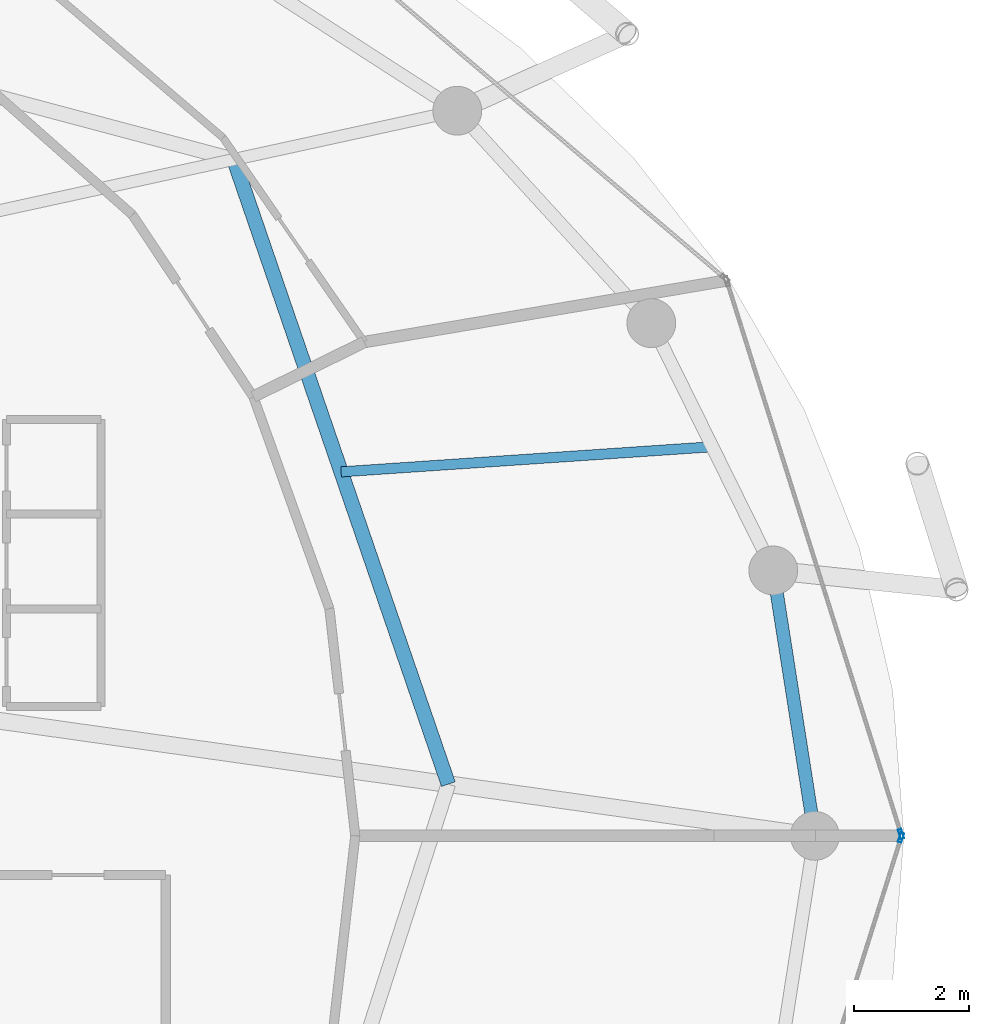
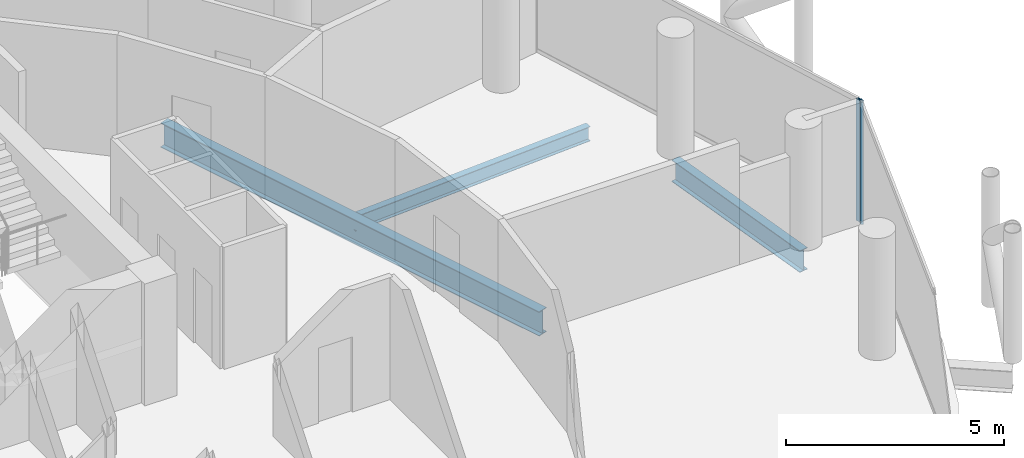
# One storey, part 15 of 27: 3 beams, 2 members, 2 elements without a shape of their own.
"""IFC4 building model written with IfcOpenShell, lengths in metres."""

from ifc_helpers import new_model, si_unit, direction, frame, origin, origin_2d, place, context, subcontext, project, spatial, hollow_rectangle, i_section, extrude, material, layer, layer_set, material_profile, profile_set, type_object, element, aggregate, save


model = new_model("IFC4")

# Units and contexts
model_context = context("Model", 3, precision=1e-05, world=origin(), true_north=direction((0.0, 1.0)))
body_context = subcontext(model_context, "Body", "Model", "MODEL_VIEW")
ifc_project = project(units=[si_unit("LENGTHUNIT", "METRE"), si_unit("AREAUNIT", "SQUARE_METRE"), si_unit("VOLUMEUNIT", "CUBIC_METRE"), si_unit("PLANEANGLEUNIT", "RADIAN"), si_unit("MASSUNIT", "GRAM", prefix="KILO")], contexts=[model_context])

# Site, building, storey
site_placement = place(None, origin())
site = spatial("IfcSite", under=ifc_project, at=site_placement, CompositionType="ELEMENT")
building_placement = place(site_placement, origin())
building = spatial("IfcBuilding", under=site, at=building_placement, Name="Nuhasar Tower", CompositionType="ELEMENT")
storey_placement = place(building_placement, frame((0.0, 0.0, 230.050048828125)))
storey = spatial("IfcBuildingStorey", under=building, at=storey_placement, Name="L56", CompositionType="ELEMENT", Elevation=230.050048828125)

# Beams
ifc_material_1 = material(Name="Steel S355", Category="steel")
ifc_material_profile_1 = material_profile(ifc_material_1, i_section(OverallWidth=0.25390625, OverallDepth=0.68408203125, WebThickness=0.012451171875, FlangeThickness=0.018798828125, at=origin_2d()), Name="W27X94")
ifc_profile_set_1 = profile_set([ifc_material_profile_1], Name="Steel S355")
beam_type_1 = type_object("IfcBeamType", Name="BM-INRING-W27X94", PredefinedType="BEAM", material=ifc_profile_set_1)
beam_1_placement = place(storey_placement, frame((53.8701171875, 27.699951171875, -0.58203125), z_axis=(-0.324809117642, 0.945779592239, 0.0), x_axis=(-0.945779592239, -0.324809117642, 0.0)))
element("IfcBeam", 1, at=beam_1_placement, inside=storey, type_object=beam_type_1, Name="L56 Inner Header Beam 04", PredefinedType="BEAM", context=body_context, shape_type="SweptSolid", body=[
    extrude(i_section(OverallWidth=0.25390625, OverallDepth=0.68408203125, WebThickness=0.012451171875, FlangeThickness=0.018798828125, at=origin_2d()), origin(), (0.0, 0.0, 1.0), 11.496337890625),
])
ifc_material_profile_2 = material_profile(ifc_material_1, i_section(OverallWidth=0.177978515625, OverallDepth=0.406005859375, WebThickness=0.0078125, FlangeThickness=0.0126953125, at=origin_2d()), Name="W16X40")
ifc_profile_set_2 = profile_set([ifc_material_profile_2], Name="Steel S355")
beam_type_2 = type_object("IfcBeamType", Name="BM-JST-W16X40", PredefinedType="JOIST", material=ifc_profile_set_2)
beam_2_placement = place(storey_placement, frame((52.0029296875, 33.135986328125, -0.443115234375), z_axis=(0.997721156568, 0.067472170095, 0.0), x_axis=(-0.067472170095, 0.997721156568, 0.0)))
element("IfcBeam", 2, at=beam_2_placement, inside=storey, type_object=beam_type_2, Name="L56 Secondary Floor Joist 04", PredefinedType="JOIST", context=body_context, shape_type="SweptSolid", body=[
    extrude(i_section(OverallWidth=0.177978515625, OverallDepth=0.406005859375, WebThickness=0.0078125, FlangeThickness=0.0126953125, at=origin_2d()), origin(), (0.0, 0.0, 1.0), 6.476806640625),
])
ifc_material_profile_3 = material_profile(ifc_material_1, i_section(OverallWidth=0.22802734375, OverallDepth=0.60791015625, WebThickness=0.01123046875, FlangeThickness=0.017333984375, at=origin_2d()), Name="W24X76")
ifc_profile_set_3 = profile_set([ifc_material_profile_3], Name="Steel S355")
beam_type_3 = type_object("IfcBeamType", Name="BM-RING-W24X76", PredefinedType="SPANDREL", material=ifc_profile_set_3)
beam_3_placement = place(storey_placement, frame((60.25, 26.800048828125, -0.5439453125), z_axis=(-0.154849872935, 0.987938012657, 0.0), x_axis=(-0.987938012657, -0.154849872935, 0.0)))
element("IfcBeam", 3, at=beam_3_placement, inside=storey, type_object=beam_type_3, Name="L56 Perimeter Ring Spandrel 01", PredefinedType="SPANDREL", context=body_context, shape_type="SweptSolid", body=[
    extrude(i_section(OverallWidth=0.22802734375, OverallDepth=0.60791015625, WebThickness=0.01123046875, FlangeThickness=0.017333984375, at=origin_2d()), origin(), (0.0, 0.0, 1.0), 4.67626953125),
])

# Curtain wall, member
ifc_material_2 = material(Name="Aluminium 6063-T6", Category="aluminium")
ifc_layer = layer(ifc_material_2, 0.18994140625)
ifc_layer_set = layer_set([ifc_layer], Name="Aluminium 6063-T6")
curtain_wall_type = type_object("IfcCurtainWallType", Name="CW-Z3-RES", PredefinedType="NOTDEFINED", material=ifc_layer_set)
curtain_wall_1_placement = place(storey_placement, origin())
curtain_wall_1 = element("IfcCurtainWall", 4, at=curtain_wall_1_placement, inside=storey, type_object=curtain_wall_type, Name="L56 Unitised Curtain Wall 01", PredefinedType="NOTDEFINED")
ifc_material_profile_4 = material_profile(ifc_material_2, hollow_rectangle(XDim=0.06494140625, YDim=0.169921875, WallThickness=0.0048828125, at=origin_2d()), Name="CWM-4")
ifc_profile_set_4 = profile_set([ifc_material_profile_4], Name="Aluminium 6063-T6")
member_type = type_object("IfcMemberType", Name="CW-MUL-S4", PredefinedType="MULLION", material=ifc_profile_set_4)
member_1_placement = place(storey_placement, frame((61.750244140625, 26.8310546875, 0.0), z_axis=(0.0, 0.0, 1.0), x_axis=(-0.95380429279, -0.30042864553, 0.0)))
member_1 = element("IfcMember", 5, at=member_1_placement, type_object=member_type, Name="CW-Z3 mullion 1", PredefinedType="MULLION", context=body_context, shape_type="SweptSolid", body=[
    extrude(hollow_rectangle(XDim=0.06494140625, YDim=0.169921875, WallThickness=0.0048828125, at=origin_2d()), origin(), (0.0, 0.0, 1.0), 3.409912109375),
])
aggregate(curtain_wall_1, [member_1])

curtain_wall_2_placement = place(storey_placement, origin())
curtain_wall_2 = element("IfcCurtainWall", 6, at=curtain_wall_2_placement, inside=storey, type_object=curtain_wall_type, Name="L56 Unitised Curtain Wall 12", PredefinedType="NOTDEFINED")
member_2_placement = place(storey_placement, frame((61.750244140625, 26.76904296875, 0.0), z_axis=(0.0, 0.0, 1.0), x_axis=(-0.95380429279, 0.30042864553, 0.0)))
member_2 = element("IfcMember", 7, at=member_2_placement, type_object=member_type, Name="CW-Z3 mullion 2", PredefinedType="MULLION", context=body_context, shape_type="SweptSolid", body=[
    extrude(hollow_rectangle(XDim=0.06494140625, YDim=0.169921875, WallThickness=0.0048828125, at=origin_2d()), origin(), (0.0, 0.0, 1.0), 3.409912109375),
])
aggregate(curtain_wall_2, [member_2])

save(model, "model.ifc")
